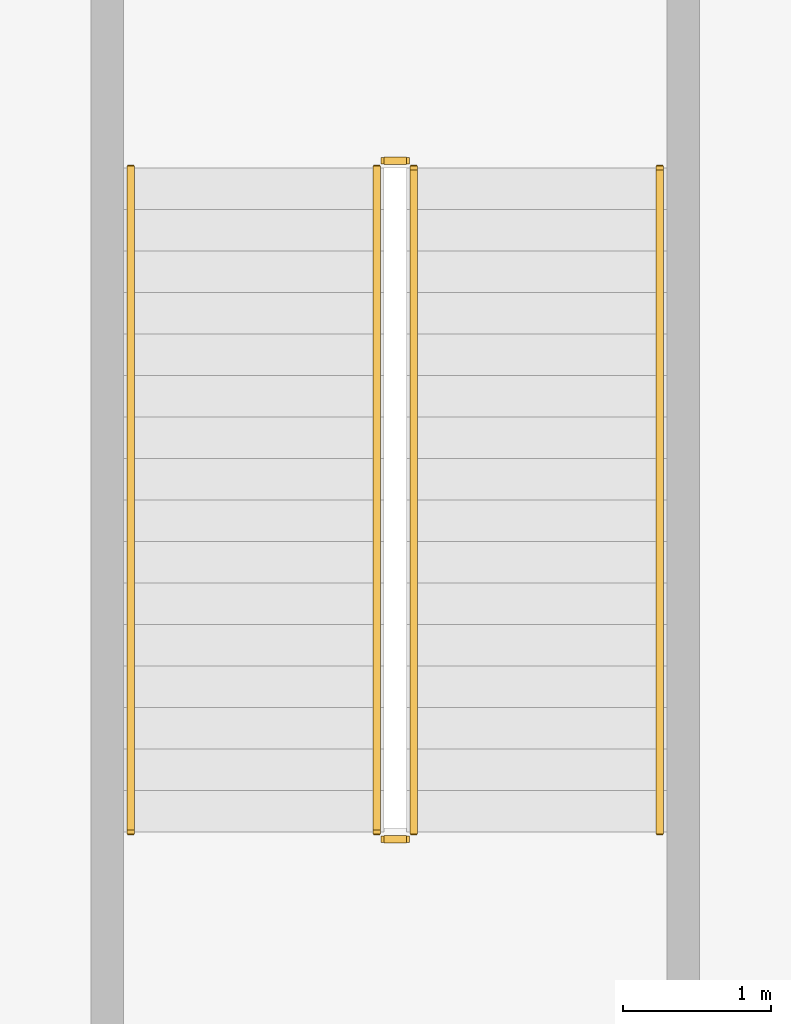
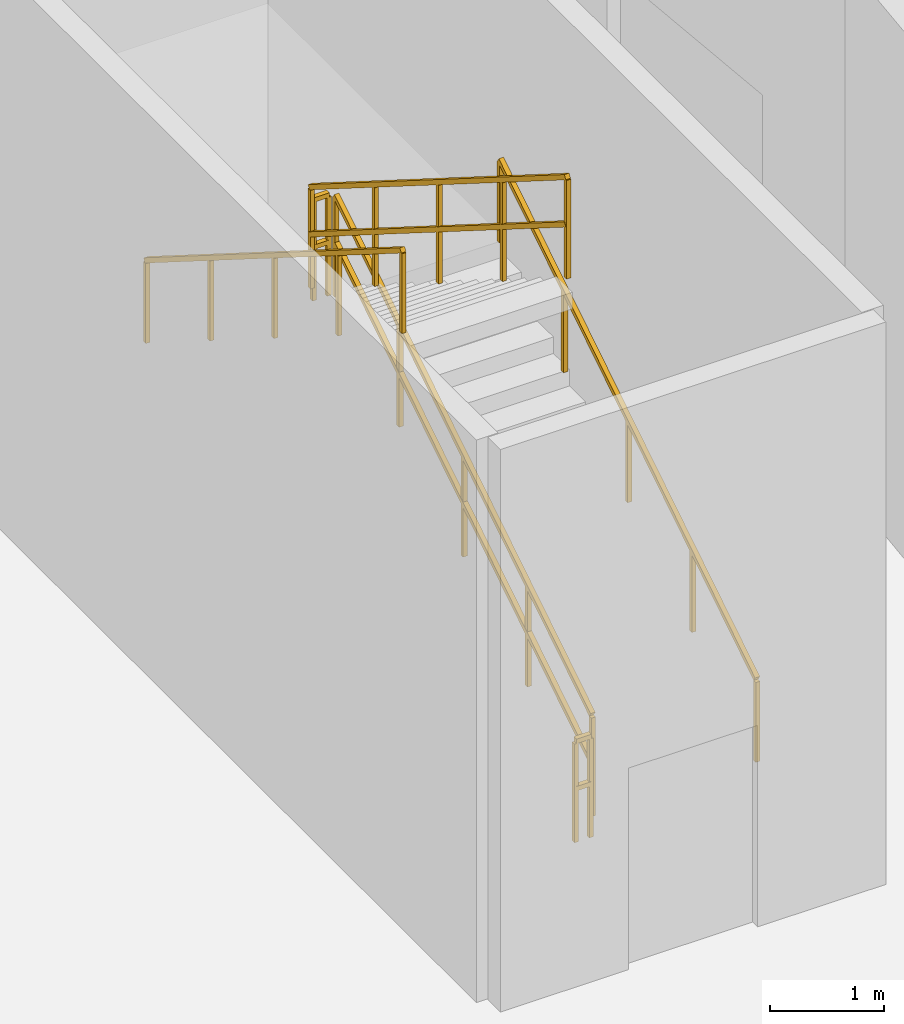
# One storey, part 10 of 10: 6 railings.
"""IFC4 building model written with IfcOpenShell, lengths in metres."""

import ifcopenshell
import ifcopenshell.guid

model = None  # the IFC model being written
_history = None  # IfcOwnerHistory: only IFC2X3 demands one
_inside = {}  # id of a spatial element -> (the spatial element, [elements in it])
_under = {}  # id of a project, library or spatial element -> (it, [spatial elements below it])
_declared = {}  # id of a project -> (the project, [libraries it declares])
_typed = {}  # id of a type object -> (the type object, [elements of that type])
_made_of = {}  # id of a material, layer set ... -> (it, [elements and type objects made of it])


def new_model(schema):
    """Start an empty IFC model of exactly this schema.

    Asked for "IFC4X3", IfcOpenShell would pick the latest addendum, in which some entities
    have other attributes; the version numbers below select the first issue.
    IFC2X3 requires an IfcOwnerHistory on every rooted entity: one is made here for all.
    """
    global model, _history
    if schema == "IFC4X3":
        model = ifcopenshell.file(schema_version=(4, 3, 0, 0))
    else:
        model = ifcopenshell.file(schema=schema)
    _inside.clear()
    _under.clear()
    _declared.clear()
    _typed.clear()
    _made_of.clear()
    _history = None
    if model.schema == "IFC2X3":
        org = make("IfcOrganization", Name="unknown")
        user = make(
            "IfcPersonAndOrganization",
            ThePerson=make("IfcPerson", FamilyName="unknown"),
            TheOrganization=org,
        )
        app = make(
            "IfcApplication",
            ApplicationDeveloper=org,
            Version="unknown",
            ApplicationFullName="unknown",
            ApplicationIdentifier="unknown",
        )
        _history = make(
            "IfcOwnerHistory",
            OwningUser=user,
            OwningApplication=app,
            ChangeAction="ADDED",
            CreationDate=0,
        )
    return model


def make(cls, **values):
    """One entity of the class cls with the attributes given. An attribute that is None is left unset."""
    return model.create_entity(
        cls, **{name: value for name, value in values.items() if value is not None}
    )


def rooted(cls, **values):
    """An entity with a GlobalId (a new one), such as an element, a storey or a relation."""
    return make(cls, GlobalId=ifcopenshell.guid.new(), OwnerHistory=_history, **values)


def si_unit(unit_type, name, prefix=None):
    """IfcSIUnit, for example si_unit("LENGTHUNIT", "METRE", prefix="MILLI")."""
    return make("IfcSIUnit", UnitType=unit_type, Prefix=prefix, Name=name)


def assignment(units):
    """IfcUnitAssignment: the units of a project."""
    return None if units is None else make("IfcUnitAssignment", Units=units)


def point(xyz):
    """IfcCartesianPoint."""
    return None if xyz is None else make("IfcCartesianPoint", Coordinates=xyz)


def direction(xyz):
    """IfcDirection."""
    return None if xyz is None else make("IfcDirection", DirectionRatios=xyz)


def frame(location, z_axis=None, x_axis=None):
    """IfcAxis2Placement3D, a coordinate frame: its origin and axes. An axis left out is left unset."""
    return make(
        "IfcAxis2Placement3D",
        Location=point(location),
        Axis=direction(z_axis),
        RefDirection=direction(x_axis),
    )


def frame_2d(location, x_axis=None):
    """IfcAxis2Placement2D, a coordinate frame in the plane: its origin and x axis."""
    return make(
        "IfcAxis2Placement2D", Location=point(location), RefDirection=direction(x_axis)
    )


def origin():
    """The frame at (0, 0, 0) with its axes left unset."""
    return frame((0.0, 0.0, 0.0))


def origin_2d():
    """The frame at (0, 0) in the plane with its x axis left unset."""
    return frame_2d((0.0, 0.0))


def place(relative_to, where):
    """IfcLocalPlacement: puts the frame where relative to a parent placement (None: the world)."""
    return make(
        "IfcLocalPlacement", PlacementRelTo=relative_to, RelativePlacement=where
    )


def context(
    kind, dimensions, precision=None, world=None, true_north=None, identifier=None
):
    """IfcGeometricRepresentationContext, for example the 3D "Model" context."""
    return make(
        "IfcGeometricRepresentationContext",
        ContextIdentifier=identifier,
        ContextType=kind,
        CoordinateSpaceDimension=dimensions,
        Precision=precision,
        WorldCoordinateSystem=world,
        TrueNorth=true_north,
    )


def subcontext(parent, identifier, kind, view, scale=None):
    """IfcGeometricRepresentationSubContext, for example "Body" below "Model"."""
    return make(
        "IfcGeometricRepresentationSubContext",
        ContextIdentifier=identifier,
        ContextType=kind,
        ParentContext=parent,
        TargetScale=scale,
        TargetView=view,
    )


def project(units=None, contexts=None):
    """IfcProject with its units and contexts."""
    return rooted(
        "IfcProject",
        Name="project",
        RepresentationContexts=contexts,
        UnitsInContext=assignment(units),
    )


def spatial(cls, under=None, at=None, **own):
    """A site, building, storey or space (cls), placed at a placement, below another one or the project."""
    s = rooted(cls, ObjectPlacement=at, **own)
    if under is not None:
        _under.setdefault(under.id(), (under, []))[1].append(s)
    return s


def profile(cls, at=None, kind="AREA", **sizes):
    """A parametric profile (cls). Its sizes go by their IFC names, for example OverallWidth=200.0."""
    return make(cls, ProfileType=kind, Position=at, **sizes)


def rectangle(**sizes):
    """IfcRectangleProfileDef."""
    return profile("IfcRectangleProfileDef", **sizes)


def extrude(swept, where, along, depth):
    """IfcExtrudedAreaSolid: the profile swept, set in the frame where, extruded along a direction by depth."""
    return make(
        "IfcExtrudedAreaSolid",
        SweptArea=swept,
        Position=where,
        ExtrudedDirection=direction(along),
        Depth=depth,
    )


def shape(context_of_items, identifier, shape_type, items):
    """IfcShapeRepresentation: the items that make up one representation, for example the "Body"."""
    return make(
        "IfcShapeRepresentation",
        ContextOfItems=context_of_items,
        RepresentationIdentifier=identifier,
        RepresentationType=shape_type,
        Items=items,
    )


def material(Name=None, Category=None):
    """IfcMaterial."""
    return make("IfcMaterial", Name=Name, Category=Category)


def made_of(thing, what):
    """Note that an element or type object is made of a material, layer set ...; save() writes the relation."""
    if what is not None:
        _made_of.setdefault(what.id(), (what, []))[1].append(thing)
    return thing


def type_object(cls, material=None, **own):
    """A type object (cls), such as IfcWallType, which elements share."""
    return made_of(rooted(cls, **own), material)


def element(
    cls,
    number,
    at=None,
    inside=None,
    cuts=None,
    type_object=None,
    material=None,
    context=None,
    identifier="Body",
    shape_type=None,
    held_by="IfcProductDefinitionShape",
    body=None,
    shapes=None,
    **own,
):
    """One element of the class cls, such as IfcWall. Its Tag is "e" and its number.

    at: its placement. inside: the storey or other place that contains it. cuts: it is an
    opening in that element (IfcRelVoidsElement). A single representation is given by context,
    identifier, shape_type and body (its items); several are given by shapes. held_by: the class
    of the entity that holds the representations. save() writes the other relations.
    """
    e = rooted(cls, Tag="e%d" % number, ObjectPlacement=at, **own)
    if body is not None:
        shapes = [shape(context, identifier, shape_type, body)]
    if shapes is not None:
        e.Representation = make(held_by, Representations=shapes)
    if inside is not None:
        _inside.setdefault(inside.id(), (inside, []))[1].append(e)
    if cuts is not None:
        rooted(
            "IfcRelVoidsElement", RelatingBuildingElement=cuts, RelatedOpeningElement=e
        )
    if type_object is not None:
        _typed.setdefault(type_object.id(), (type_object, []))[1].append(e)
    return made_of(e, material)


def aggregate(whole, parts):
    """IfcRelAggregates: a whole, such as a stair, and the parts it consists of."""
    return rooted("IfcRelAggregates", RelatingObject=whole, RelatedObjects=parts)


def save(model, path):
    """Write the relations noted so far, then the file.

    IfcRelAggregates (storeys below a building ...), IfcRelContainedInSpatialStructure (elements
    in a storey), IfcRelDefinesByType, IfcRelAssociatesMaterial and IfcRelDeclares: one each for
    every whole, place, type object, material and project.
    """
    for whole, parts in _under.values():
        aggregate(whole, parts)
    for where, things in _inside.values():
        rooted(
            "IfcRelContainedInSpatialStructure",
            RelatedElements=things,
            RelatingStructure=where,
        )
    for kind, things in _typed.values():
        rooted("IfcRelDefinesByType", RelatedObjects=things, RelatingType=kind)
    for what, things in _made_of.values():
        rooted("IfcRelAssociatesMaterial", RelatedObjects=things, RelatingMaterial=what)
    for by, libraries in _declared.values():
        rooted("IfcRelDeclares", RelatingContext=by, RelatedDefinitions=libraries)
    model.write(path)


model = new_model("IFC4")

# Units and contexts
model_context = context("Model", 3, precision=1e-05, world=origin(), true_north=direction((0.0, 1.0)))
body_context = subcontext(model_context, "Body", "Model", "MODEL_VIEW")
ifc_project = project(units=[si_unit("LENGTHUNIT", "METRE"), si_unit("AREAUNIT", "SQUARE_METRE"), si_unit("VOLUMEUNIT", "CUBIC_METRE"), si_unit("PLANEANGLEUNIT", "RADIAN"), si_unit("MASSUNIT", "GRAM", prefix="KILO")], contexts=[model_context])

# Site, building, storey
site_placement = place(None, origin())
site = spatial("IfcSite", under=ifc_project, at=site_placement, CompositionType="ELEMENT")
building_placement = place(site_placement, origin())
building = spatial("IfcBuilding", under=site, at=building_placement, Name="Breltana Convention Tower", CompositionType="ELEMENT")
storey_placement = place(building_placement, frame((0.0, 0.0, 18.0)))
storey = spatial("IfcBuildingStorey", under=building, at=storey_placement, Name="L03", CompositionType="ELEMENT", Elevation=18.0)

# Railings
ifc_material_1 = material(Name="Steel S275 Painted", Category="steel")
railing_type_1 = type_object("IfcRailingType", Name="RL-STAIR-GUARD-1100", PredefinedType="GUARDRAIL", material=ifc_material_1)
railing_1_placement = place(storey_placement, frame((88.7900390625, 38.56005859375, 0.176513671875)))
element("IfcRailing", 1, at=railing_1_placement, inside=storey, type_object=railing_type_1, Name="L03 ST-4 stair guard 1", PredefinedType="GUARDRAIL", context=body_context, shape_type="SweptSolid", body=[
    extrude(rectangle(XDim=0.048095703125, YDim=0.048095703125, at=origin_2d()), frame((0.0, 0.0, 1.076171875), z_axis=(0.0, 0.845997938375, 0.533186166611), x_axis=(-1.0, 0.0, 0.0)), (0.0, 0.0, 1.0), 5.29541015625),
    extrude(rectangle(XDim=0.048095703125, YDim=0.048095703125, at=origin_2d()), frame((0.0, 0.0, 0.572021484375), z_axis=(0.0, 0.845997938375, 0.533186166611), x_axis=(-1.0, 0.0, 0.0)), (0.0, 0.0, 1.0), 5.29541015625),
    extrude(rectangle(XDim=0.0419921875, YDim=0.0419921875, at=origin_2d()), origin(), (0.0, 0.0, 1.0), 1.052001953125),
    extrude(rectangle(XDim=0.0419921875, YDim=0.0419921875, at=origin_2d()), frame((0.0, 1.1201171875, 0.705810546875)), (0.0, 0.0, 1.0), 1.052001953125),
    extrude(rectangle(XDim=0.0419921875, YDim=0.0419921875, at=origin_2d()), frame((0.0, 2.239990234375, 1.41162109375)), (0.0, 0.0, 1.0), 1.052001953125),
    extrude(rectangle(XDim=0.0419921875, YDim=0.0419921875, at=origin_2d()), frame((0.0, 3.35986328125, 2.11767578125)), (0.0, 0.0, 1.0), 1.052001953125),
    extrude(rectangle(XDim=0.0419921875, YDim=0.0419921875, at=origin_2d()), frame((0.0, 4.47998046875, 2.823486328125)), (0.0, 0.0, 1.0), 1.052001953125),
])
railing_2_placement = place(storey_placement, frame((88.739990234375, 43.090087890625, 3.0)))
element("IfcRailing", 2, at=railing_2_placement, inside=storey, type_object=railing_type_1, Name="L03 ST-4 stair guard 2", PredefinedType="GUARDRAIL", context=body_context, shape_type="SweptSolid", body=[
    extrude(rectangle(XDim=0.048095703125, YDim=0.048095703125, at=origin_2d()), frame((0.0, 0.0, 1.076171875), z_axis=(-1.0, 0.0, 0.0), x_axis=(0.0, -1.0, 0.0)), (0.0, 0.0, 1.0), 0.14990234375),
    extrude(rectangle(XDim=0.048095703125, YDim=0.048095703125, at=origin_2d()), frame((0.0, 0.0, 0.572021484375), z_axis=(-1.0, 0.0, 0.0), x_axis=(0.0, -1.0, 0.0)), (0.0, 0.0, 1.0), 0.14990234375),
    extrude(rectangle(XDim=0.0419921875, YDim=0.0419921875, at=origin_2d()), origin(), (0.0, 0.0, 1.0), 1.052001953125),
    extrude(rectangle(XDim=0.0419921875, YDim=0.0419921875, at=origin_2d()), frame((-0.14990234375, 0.0, 0.0)), (0.0, 0.0, 1.0), 1.052001953125),
])
railing_3_placement = place(storey_placement, frame((88.5400390625, 43.0400390625, 3.176513671875)))
element("IfcRailing", 3, at=railing_3_placement, inside=storey, type_object=railing_type_1, Name="L03 ST-4 stair guard 3", PredefinedType="GUARDRAIL", context=body_context, shape_type="SweptSolid", body=[
    extrude(rectangle(XDim=0.048095703125, YDim=0.048095703125, at=origin_2d()), frame((0.0, 0.0, 1.076171875), z_axis=(0.0, -0.845997938375, 0.533186166611), x_axis=(1.0, 0.0, 0.0)), (0.0, 0.0, 1.0), 5.29541015625),
    extrude(rectangle(XDim=0.048095703125, YDim=0.048095703125, at=origin_2d()), frame((0.0, 0.0, 0.572021484375), z_axis=(0.0, -0.845997938375, 0.533186166611), x_axis=(1.0, 0.0, 0.0)), (0.0, 0.0, 1.0), 5.29541015625),
    extrude(rectangle(XDim=0.0419921875, YDim=0.0419921875, at=origin_2d()), origin(), (0.0, 0.0, 1.0), 1.052001953125),
    extrude(rectangle(XDim=0.0419921875, YDim=0.0419921875, at=origin_2d()), frame((0.0, -1.1201171875, 0.705810546875)), (0.0, 0.0, 1.0), 1.052001953125),
    extrude(rectangle(XDim=0.0419921875, YDim=0.0419921875, at=origin_2d()), frame((0.0, -2.239990234375, 1.41162109375)), (0.0, 0.0, 1.0), 1.052001953125),
    extrude(rectangle(XDim=0.0419921875, YDim=0.0419921875, at=origin_2d()), frame((0.0, -3.35986328125, 2.11767578125)), (0.0, 0.0, 1.0), 1.052001953125),
    extrude(rectangle(XDim=0.0419921875, YDim=0.0419921875, at=origin_2d()), frame((0.0, -4.47998046875, 2.823486328125)), (0.0, 0.0, 1.0), 1.052001953125),
])
railing_4_placement = place(storey_placement, frame((88.739990234375, 38.510009765625, 0.0)))
element("IfcRailing", 4, at=railing_4_placement, inside=storey, type_object=railing_type_1, Name="L03 ST-4 stair guard 4", PredefinedType="GUARDRAIL", context=body_context, shape_type="SweptSolid", body=[
    extrude(rectangle(XDim=0.048095703125, YDim=0.048095703125, at=origin_2d()), frame((0.0, 0.0, 1.076171875), z_axis=(-1.0, 0.0, 0.0), x_axis=(0.0, -1.0, 0.0)), (0.0, 0.0, 1.0), 0.14990234375),
    extrude(rectangle(XDim=0.048095703125, YDim=0.048095703125, at=origin_2d()), frame((0.0, 0.0, 0.572021484375), z_axis=(-1.0, 0.0, 0.0), x_axis=(0.0, -1.0, 0.0)), (0.0, 0.0, 1.0), 0.14990234375),
    extrude(rectangle(XDim=0.0419921875, YDim=0.0419921875, at=origin_2d()), origin(), (0.0, 0.0, 1.0), 1.052001953125),
    extrude(rectangle(XDim=0.0419921875, YDim=0.0419921875, at=origin_2d()), frame((-0.14990234375, 0.0, 0.0)), (0.0, 0.0, 1.0), 1.052001953125),
])
ifc_material_2 = material(Name="Stainless Steel 316L", Category="steel")
railing_type_2 = type_object("IfcRailingType", Name="RL-STAIR-HANDRAIL-900", PredefinedType="HANDRAIL", material=ifc_material_2)
railing_5_placement = place(storey_placement, frame((90.449951171875, 38.56005859375, 0.176513671875)))
element("IfcRailing", 5, at=railing_5_placement, inside=storey, type_object=railing_type_2, Name="L03 ST-4 stair handrail 1", PredefinedType="HANDRAIL", context=body_context, shape_type="SweptSolid", body=[
    extrude(rectangle(XDim=0.048095703125, YDim=0.048095703125, at=origin_2d()), frame((0.0, 0.0, 0.8759765625), z_axis=(0.0, 0.845997938375, 0.533186166611), x_axis=(-1.0, 0.0, 0.0)), (0.0, 0.0, 1.0), 5.29541015625),
    extrude(rectangle(XDim=0.0419921875, YDim=0.0419921875, at=origin_2d()), origin(), (0.0, 0.0, 1.0), 0.851806640625),
    extrude(rectangle(XDim=0.0419921875, YDim=0.0419921875, at=origin_2d()), frame((0.0, 1.1201171875, 0.705810546875)), (0.0, 0.0, 1.0), 0.851806640625),
    extrude(rectangle(XDim=0.0419921875, YDim=0.0419921875, at=origin_2d()), frame((0.0, 2.239990234375, 1.41162109375)), (0.0, 0.0, 1.0), 0.851806640625),
    extrude(rectangle(XDim=0.0419921875, YDim=0.0419921875, at=origin_2d()), frame((0.0, 3.35986328125, 2.11767578125)), (0.0, 0.0, 1.0), 0.851806640625),
    extrude(rectangle(XDim=0.0419921875, YDim=0.0419921875, at=origin_2d()), frame((0.0, 4.47998046875, 2.823486328125)), (0.0, 0.0, 1.0), 0.851806640625),
])
railing_6_placement = place(storey_placement, frame((86.8798828125, 43.0400390625, 3.176513671875)))
element("IfcRailing", 6, at=railing_6_placement, inside=storey, type_object=railing_type_2, Name="L03 ST-4 stair handrail 2", PredefinedType="HANDRAIL", context=body_context, shape_type="SweptSolid", body=[
    extrude(rectangle(XDim=0.048095703125, YDim=0.048095703125, at=origin_2d()), frame((0.0, 0.0, 0.8759765625), z_axis=(0.0, -0.845997938375, 0.533186166611), x_axis=(1.0, 0.0, 0.0)), (0.0, 0.0, 1.0), 5.29541015625),
    extrude(rectangle(XDim=0.0419921875, YDim=0.0419921875, at=origin_2d()), origin(), (0.0, 0.0, 1.0), 0.851806640625),
    extrude(rectangle(XDim=0.0419921875, YDim=0.0419921875, at=origin_2d()), frame((0.0, -1.1201171875, 0.705810546875)), (0.0, 0.0, 1.0), 0.851806640625),
    extrude(rectangle(XDim=0.0419921875, YDim=0.0419921875, at=origin_2d()), frame((0.0, -2.239990234375, 1.41162109375)), (0.0, 0.0, 1.0), 0.851806640625),
    extrude(rectangle(XDim=0.0419921875, YDim=0.0419921875, at=origin_2d()), frame((0.0, -3.35986328125, 2.11767578125)), (0.0, 0.0, 1.0), 0.851806640625),
    extrude(rectangle(XDim=0.0419921875, YDim=0.0419921875, at=origin_2d()), frame((0.0, -4.47998046875, 2.823486328125)), (0.0, 0.0, 1.0), 0.851806640625),
])

save(model, "model.ifc")
